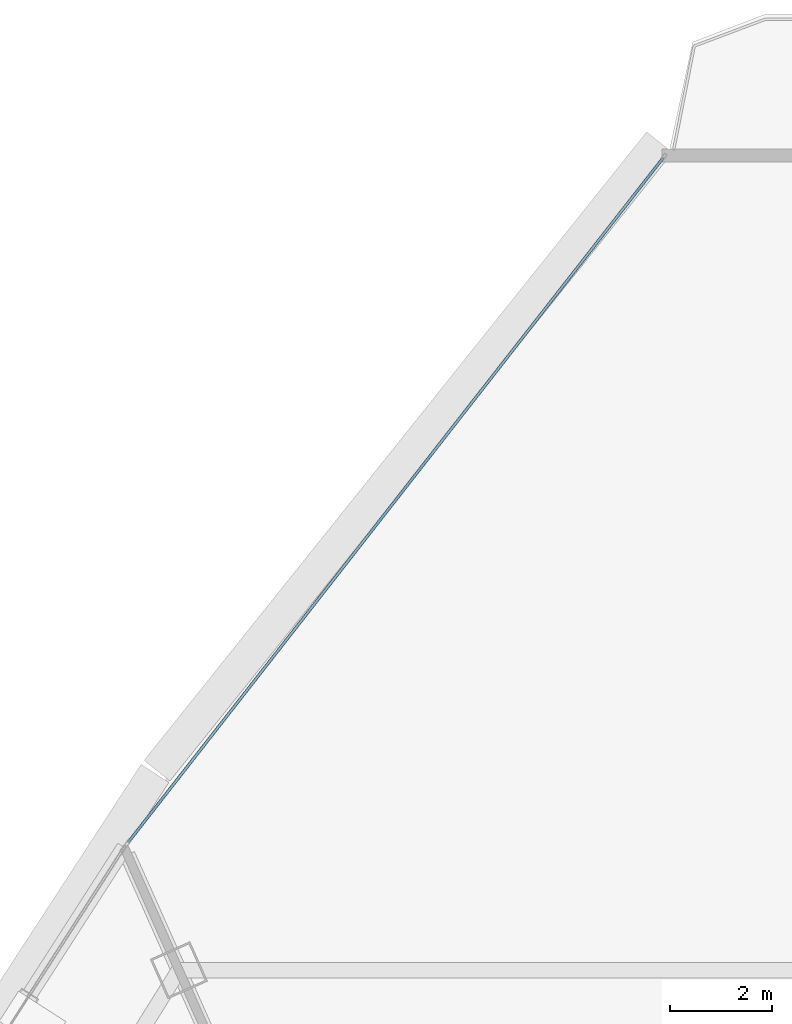
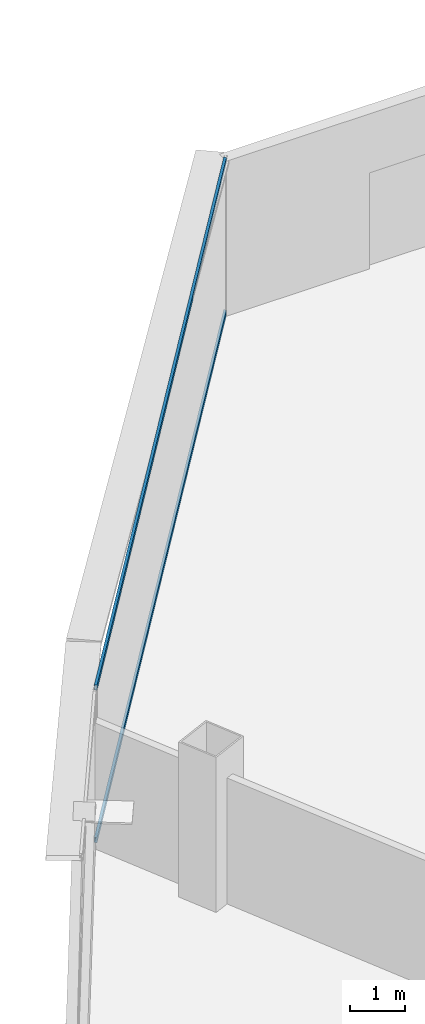
# One storey, part 18 of 36: 2 members, 1 element without a shape of its own.
"""IFC4 building model written with IfcOpenShell, lengths in metres."""

from ifc_helpers import new_model, si_unit, direction, frame, origin, origin_2d, place, context, subcontext, project, spatial, hollow_rectangle, extrude, source, transform, mapped, material, layer, layer_set, material_profile, profile_set, type_object, element, aggregate, save


model = new_model("IFC4")

# Units and contexts
model_context = context("Model", 3, precision=1e-05, world=origin(), true_north=direction((0.0, 1.0)))
body_context = subcontext(model_context, "Body", "Model", "MODEL_VIEW")
ifc_project = project(units=[si_unit("LENGTHUNIT", "METRE"), si_unit("AREAUNIT", "SQUARE_METRE"), si_unit("VOLUMEUNIT", "CUBIC_METRE"), si_unit("PLANEANGLEUNIT", "RADIAN"), si_unit("MASSUNIT", "GRAM", prefix="KILO"), si_unit("THERMODYNAMICTEMPERATUREUNIT", "KELVIN"), si_unit("POWERUNIT", "WATT")], contexts=[model_context])

# Site, building, storey
site_placement = place(None, origin())
site = spatial("IfcSite", under=ifc_project, at=site_placement, CompositionType="ELEMENT")
building_placement = place(site_placement, origin())
building = spatial("IfcBuilding", under=site, at=building_placement, Name="Yunzhuo Pagoda Commons", CompositionType="ELEMENT")
storey_placement = place(building_placement, frame((0.0, 0.0, 248.260009765625)))
storey = spatial("IfcBuildingStorey", under=building, at=storey_placement, Name="L62", CompositionType="ELEMENT", Elevation=248.260009765625)

# Curtain wall, members
ifc_material = material(Name="Anodized aluminium 6063-T6", Category="aluminium")
ifc_layer = layer(ifc_material, 0.139892578125)
ifc_layer_set = layer_set([ifc_layer], Name="Anodized aluminium 6063-T6")
curtain_wall_type = type_object("IfcCurtainWallType", Name="CW-HI High-Zone Ribbon Curtain Wall", PredefinedType="NOTDEFINED", material=ifc_layer_set)
curtain_wall_placement = place(storey_placement, origin())
curtain_wall = element("IfcCurtainWall", 1, at=curtain_wall_placement, inside=storey, type_object=curtain_wall_type, Name="L62 curtain wall CW-L62-F3B1", PredefinedType="NOTDEFINED")
ifc_material_profile = material_profile(ifc_material, hollow_rectangle(XDim=0.054931640625, YDim=0.1201171875, WallThickness=0.00341796875, at=origin_2d()), Name="Anodized aluminium 6063-T6")
ifc_profile_set = profile_set([ifc_material_profile], Name="Anodized aluminium 6063-T6")
member_type = type_object("IfcMemberType", Name="CW-HI-T Transom RHS 120x55x3.5", PredefinedType="USERDEFINED", material=ifc_profile_set)
shared_shape = source(origin(), body_context, "Body", "SweptSolid", [
    extrude(hollow_rectangle(XDim=0.054931640625, YDim=0.1201171875, WallThickness=0.00341796875, at=origin_2d()), origin(), (0.0, 0.0, 1.0), 17.036865234375),
])
member_1_placement = place(storey_placement, frame((44.094482421875, 79.75244140625, 0.027587890625), z_axis=(-0.615782241849, -0.787916385553, 0.0), x_axis=(0.787916385553, -0.615782241849, 0.0)))
member_1 = element("IfcMember", 2, at=member_1_placement, type_object=member_type, Name="CW transom 1.1", ObjectType="TRANSOM", PredefinedType="USERDEFINED", context=body_context, shape_type="MappedRepresentation", body=[
    mapped(shared_shape, transform((0.0, 0.0, 0.0), scale=1.0)),
])
member_2_placement = place(storey_placement, frame((44.094482421875, 79.75244140625, 3.4423828125), z_axis=(-0.615782241849, -0.787916385553, 0.0), x_axis=(0.787916385553, -0.615782241849, 0.0)))
member_2 = element("IfcMember", 3, at=member_2_placement, type_object=member_type, Name="CW transom 1.2", ObjectType="TRANSOM", PredefinedType="USERDEFINED", context=body_context, shape_type="MappedRepresentation", body=[
    mapped(shared_shape, transform((0.0, 0.0, 0.0), scale=1.0)),
])
aggregate(curtain_wall, [member_1, member_2])

save(model, "model.ifc")
